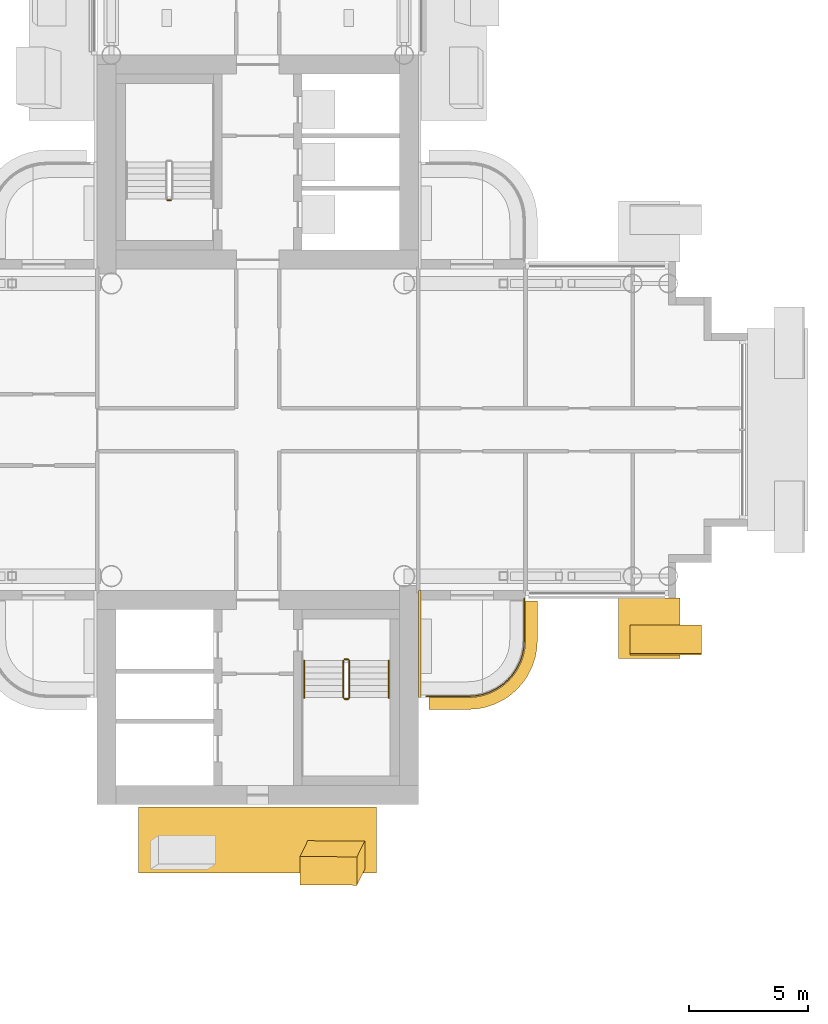
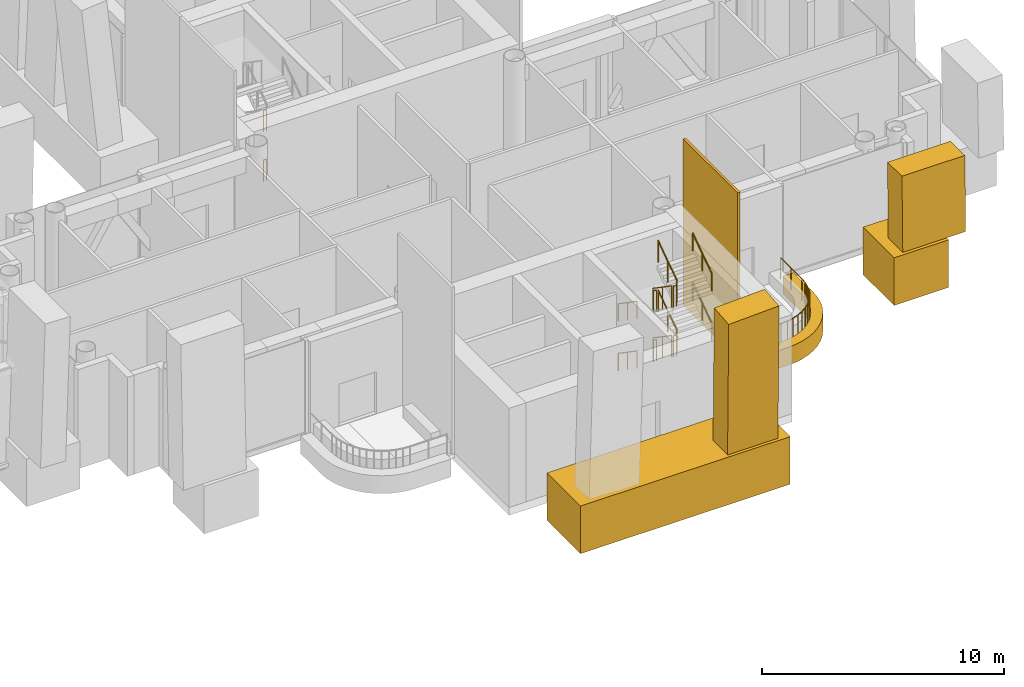
# One storey, part 30 of 34: 15 railings, 6 coverings.
"""IFC4 building model written with IfcOpenShell, lengths in metres."""

from ifc_helpers import new_model, si_unit, direction, frame, origin, origin_2d, place, context, subcontext, project, spatial, polyline, rectangle, circle, outline, extrude, material, layer, layer_set, material_profile, profile_set, type_object, element, save


model = new_model("IFC4")

# Units and contexts
model_context = context("Model", 3, precision=1e-05, world=origin(), true_north=direction((0.0, 1.0)))
body_context = subcontext(model_context, "Body", "Model", "MODEL_VIEW")
ifc_project = project(units=[si_unit("LENGTHUNIT", "METRE"), si_unit("AREAUNIT", "SQUARE_METRE"), si_unit("VOLUMEUNIT", "CUBIC_METRE"), si_unit("PLANEANGLEUNIT", "RADIAN"), si_unit("MASSUNIT", "GRAM", prefix="KILO")], contexts=[model_context])

# Site, building, storey
site_placement = place(None, origin())
site = spatial("IfcSite", under=ifc_project, at=site_placement, CompositionType="ELEMENT")
building_placement = place(site_placement, origin())
building = spatial("IfcBuilding", under=site, at=building_placement, Name="Ipe Terrace Towers", CompositionType="ELEMENT")
storey_placement = place(building_placement, frame((0.0, 0.0, 128.699951171875)))
storey = spatial("IfcBuildingStorey", under=building, at=storey_placement, Name="L35", CompositionType="ELEMENT", Elevation=128.699951171875)

# Railing
ifc_material_1 = material(Name="Stainless steel S316", Category="steel")
railing_type_1 = type_object("IfcRailingType", Name="GUARD 1100", PredefinedType="BALUSTRADE", material=ifc_material_1)
railing_1_placement = place(storey_placement, frame((43.070068359375, -11.199951171875, -0.02001953125)))
element("IfcRailing", 1, at=railing_1_placement, inside=storey, type_object=railing_type_1, Name="guard", PredefinedType="BALUSTRADE", context=body_context, shape_type="SweptSolid", body=[
    extrude(circle(Radius=0.02392578125, at=origin_2d()), frame((0.0, 0.0, 1.076171875), z_axis=(1.0, 0.0, 0.0), x_axis=(0.0, 1.0, 0.0)), (0.0, 0.0, 1.0), 1.77783203125),
    extrude(circle(Radius=0.02392578125, at=origin_2d()), frame((1.77783203125, 0.0, 1.076171875), z_axis=(0.99790894031, 0.064635492184, 0.0), x_axis=(-0.064635492184, 0.99790894031, 0.0)), (0.0, 0.0, 1.0), 0.309814453125),
    extrude(circle(Radius=0.02392578125, at=origin_2d()), frame((2.0869140625, 0.02001953125, 1.076171875), z_axis=(0.980824674538, 0.194892169718, 0.0), x_axis=(-0.194892169718, 0.980824674538, 0.0)), (0.0, 0.0, 1.0), 0.306884765625),
    extrude(circle(Radius=0.02392578125, at=origin_2d()), frame((2.387939453125, 0.079833984375, 1.076171875), z_axis=(0.946598348228, 0.322415209212, 0.0), x_axis=(-0.322415209212, 0.946598348228, 0.0)), (0.0, 0.0, 1.0), 0.307373046875),
    extrude(circle(Radius=0.02392578125, at=origin_2d()), frame((2.678955078125, 0.178955078125, 1.076171875), z_axis=(0.896952807524, 0.44212629539, 0.0), x_axis=(-0.44212629539, 0.896952807524, 0.0)), (0.0, 0.0, 1.0), 0.3076171875),
    extrude(circle(Radius=0.02392578125, at=origin_2d()), frame((2.954833984375, 0.31494140625, 1.076171875), z_axis=(0.831806228742, 0.555066120228, 0.0), x_axis=(-0.555066120228, 0.831806228742, 0.0)), (0.0, 0.0, 1.0), 0.307861328125),
    extrude(circle(Radius=0.02392578125, at=origin_2d()), frame((3.2109375, 0.48583984375, 1.076171875), z_axis=(0.752478137252, 0.658617227954, 0.0), x_axis=(-0.658617227954, 0.752478137252, 0.0)), (0.0, 0.0, 1.0), 0.306884765625),
    extrude(circle(Radius=0.02392578125, at=origin_2d()), frame((3.44189453125, 0.68798828125, 1.076171875), z_axis=(0.658617227954, 0.752478137252, 0.0), x_axis=(-0.752478137252, 0.658617227954, 0.0)), (0.0, 0.0, 1.0), 0.306884765625),
    extrude(circle(Radius=0.02392578125, at=origin_2d()), frame((3.64404296875, 0.9189453125, 1.076171875), z_axis=(0.555066120228, 0.831806228742, 0.0), x_axis=(-0.831806228742, 0.555066120228, 0.0)), (0.0, 0.0, 1.0), 0.307861328125),
    extrude(circle(Radius=0.02392578125, at=origin_2d()), frame((3.81494140625, 1.175048828125, 1.076171875), z_axis=(0.44212629539, 0.896952807524, 0.0), x_axis=(-0.896952807524, 0.44212629539, 0.0)), (0.0, 0.0, 1.0), 0.3076171875),
    extrude(circle(Radius=0.02392578125, at=origin_2d()), frame((3.950927734375, 1.450927734375, 1.076171875), z_axis=(0.322415209212, 0.946598348228, 0.0), x_axis=(-0.946598348228, 0.322415209212, 0.0)), (0.0, 0.0, 1.0), 0.307373046875),
    extrude(circle(Radius=0.02392578125, at=origin_2d()), frame((4.050048828125, 1.741943359375, 1.076171875), z_axis=(0.194892169718, 0.980824674538, 0.0), x_axis=(-0.980824674538, 0.194892169718, 0.0)), (0.0, 0.0, 1.0), 0.306884765625),
    extrude(circle(Radius=0.02392578125, at=origin_2d()), frame((4.10986328125, 2.04296875, 1.076171875), z_axis=(0.064635492184, 0.99790894031, 0.0), x_axis=(-0.99790894031, 0.064635492184, 0.0)), (0.0, 0.0, 1.0), 0.309814453125),
    extrude(circle(Radius=0.02392578125, at=origin_2d()), frame((4.1298828125, 2.35205078125, 1.076171875), z_axis=(0.0, 1.0, 0.0), x_axis=(-1.0, 0.0, 0.0)), (0.0, 0.0, 1.0), 1.77783203125),
    extrude(circle(Radius=0.02099609375, at=origin_2d()), origin(), (0.0, 0.0, 1.0), 1.052001953125),
    extrude(circle(Radius=0.02099609375, at=origin_2d()), frame((0.888916015625, 0.0, 0.0)), (0.0, 0.0, 1.0), 1.052001953125),
    extrude(circle(Radius=0.02099609375, at=origin_2d()), frame((1.77783203125, 0.0, 0.0)), (0.0, 0.0, 1.0), 1.052001953125),
    extrude(circle(Radius=0.02099609375, at=origin_2d()), frame((2.0869140625, 0.02001953125, 0.0)), (0.0, 0.0, 1.0), 1.052001953125),
    extrude(circle(Radius=0.02099609375, at=origin_2d()), frame((2.387939453125, 0.079833984375, 0.0)), (0.0, 0.0, 1.0), 1.052001953125),
    extrude(circle(Radius=0.02099609375, at=origin_2d()), frame((2.678955078125, 0.178955078125, 0.0)), (0.0, 0.0, 1.0), 1.052001953125),
    extrude(circle(Radius=0.02099609375, at=origin_2d()), frame((2.954833984375, 0.31494140625, 0.0)), (0.0, 0.0, 1.0), 1.052001953125),
    extrude(circle(Radius=0.02099609375, at=origin_2d()), frame((3.2109375, 0.48583984375, 0.0)), (0.0, 0.0, 1.0), 1.052001953125),
    extrude(circle(Radius=0.02099609375, at=origin_2d()), frame((3.44189453125, 0.68798828125, 0.0)), (0.0, 0.0, 1.0), 1.052001953125),
    extrude(circle(Radius=0.02099609375, at=origin_2d()), frame((3.64404296875, 0.9189453125, 0.0)), (0.0, 0.0, 1.0), 1.052001953125),
    extrude(circle(Radius=0.02099609375, at=origin_2d()), frame((3.81494140625, 1.175048828125, 0.0)), (0.0, 0.0, 1.0), 1.052001953125),
    extrude(circle(Radius=0.02099609375, at=origin_2d()), frame((3.950927734375, 1.450927734375, 0.0)), (0.0, 0.0, 1.0), 1.052001953125),
    extrude(circle(Radius=0.02099609375, at=origin_2d()), frame((4.050048828125, 1.741943359375, 0.0)), (0.0, 0.0, 1.0), 1.052001953125),
    extrude(circle(Radius=0.02099609375, at=origin_2d()), frame((4.10986328125, 2.04296875, 0.0)), (0.0, 0.0, 1.0), 1.052001953125),
    extrude(circle(Radius=0.02099609375, at=origin_2d()), frame((4.1298828125, 2.35205078125, 0.0)), (0.0, 0.0, 1.0), 1.052001953125),
    extrude(circle(Radius=0.02099609375, at=origin_2d()), frame((4.1298828125, 3.240966796875, 0.0)), (0.0, 0.0, 1.0), 1.052001953125),
    extrude(circle(Radius=0.02099609375, at=origin_2d()), frame((4.1298828125, 4.1298828125, 0.0)), (0.0, 0.0, 1.0), 1.052001953125),
])

# Coverings
ifc_material_2 = material(Name="Concrete C50/60 precast, buff finish", Category="concrete")
ifc_layer_1 = layer(ifc_material_2, 0.1201171875)
ifc_layer_set_1 = layer_set([ifc_layer_1], Name="STONE CORE CLADDING 120")
covering_type_1 = type_object("IfcCoveringType", Name="STONE CORE CLADDING 120", PredefinedType="CLADDING", material=ifc_layer_set_1)
covering_1_placement = place(storey_placement, frame((42.81005859375, -9.0, 0.0), z_axis=(0.0, 0.0, 1.0), x_axis=(0.0, 1.0, 0.0)))
element("IfcCovering", 2, at=covering_1_placement, inside=storey, type_object=covering_type_1, Name="stone core cladding", PredefinedType="CLADDING", context=body_context, shape_type="SweptSolid", body=[
    extrude(rectangle(XDim=4.5, YDim=0.1201171875, at=origin_2d()), origin(), (0.0, 0.0, 1.0), 8.39990234375),
])
ifc_material_3 = material(Name="Concrete C50/60 precast, buff finish", Category="concrete")
ifc_layer_2 = layer(ifc_material_3, 0.5)
ifc_layer_set_2 = layer_set([ifc_layer_2], Name="STONE EDGE BAND 500 x 900")
covering_type_2 = type_object("IfcCoveringType", Name="STONE EDGE BAND 500 x 900", PredefinedType="CLADDING", material=ifc_layer_set_2)
covering_2_placement = place(storey_placement, frame((0.0, 0.0, -0.719970703125)))
element("IfcCovering", 3, at=covering_2_placement, inside=storey, type_object=covering_type_2, Name="stone edge band", PredefinedType="CLADDING", context=body_context, shape_type="SweptSolid", body=[
    extrude(outline(polyline([(47.75, -8.85009765625), (47.75, -7.199951171875), (47.25, -7.199951171875), (47.25, -8.85009765625), (47.22900390625, -9.1630859375), (47.16796875, -9.470947265625), (47.06689453125, -9.76806640625), (46.927978515625, -10.050048828125), (46.75390625, -10.31103515625), (46.547119140625, -10.547119140625), (46.31103515625, -10.75390625), (46.050048828125, -10.927978515625), (45.76806640625, -11.06689453125), (45.470947265625, -11.16796875), (45.1630859375, -11.22900390625), (44.85009765625, -11.25), (43.199951171875, -11.25), (43.199951171875, -11.75), (44.85009765625, -11.75), (44.883056640625, -11.7490234375), (45.196044921875, -11.72802734375), (45.260986328125, -11.719970703125), (45.569091796875, -11.658935546875), (45.632080078125, -11.64208984375), (45.928955078125, -11.541015625), (45.989990234375, -11.51611328125), (46.27099609375, -11.376953125), (46.327880859375, -11.343994140625), (46.589111328125, -11.169921875), (46.64111328125, -11.1298828125), (46.876953125, -10.923095703125), (46.923095703125, -10.876953125), (47.1298828125, -10.64111328125), (47.169921875, -10.589111328125), (47.343994140625, -10.327880859375), (47.376953125, -10.27099609375), (47.51611328125, -9.989990234375), (47.541015625, -9.928955078125), (47.64208984375, -9.632080078125), (47.658935546875, -9.569091796875), (47.719970703125, -9.260986328125), (47.72802734375, -9.196044921875), (47.7490234375, -8.883056640625), (47.75, -8.85009765625)])), origin(), (0.0, 0.0, 1.0), 0.89990234375),
])
ifc_material_4 = material(Name="Concrete C50/60 precast, buff finish", Category="concrete")
ifc_material_profile_1 = material_profile(ifc_material_4, rectangle(XDim=2.39990234375, YDim=1.199951171875, at=origin_2d()), Name="STONE FIN 2400 x 1200")
ifc_profile_set_1 = profile_set([ifc_material_profile_1], Name="Concrete C50/60 precast, buff finish")
covering_type_3 = type_object("IfcCoveringType", Name="STONE FIN 2400 x 1200", PredefinedType="USERDEFINED", material=ifc_profile_set_1)
covering_3_placement = place(storey_placement, frame((39.300048828125, -17.8701171875, 1.199951171875), z_axis=(-0.045465385921, -0.092144980961, 0.994707093152), x_axis=(0.998965914675, -0.004193743812, 0.04527155652)))
element("IfcCovering", 4, at=covering_3_placement, inside=storey, type_object=covering_type_3, Name="stone fin", ObjectType="FIN", PredefinedType="USERDEFINED", context=body_context, shape_type="SweptSolid", body=[
    extrude(rectangle(XDim=2.39990234375, YDim=1.199951171875, at=origin_2d()), origin(), (0.0, 0.0, 1.0), 7.238525390625),
])
ifc_material_5 = material(Name="Concrete C50/60 precast, buff finish", Category="concrete")
ifc_material_profile_2 = material_profile(ifc_material_5, rectangle(XDim=3.0, YDim=1.199951171875, at=origin_2d()), Name="STONE FIN CORNER 3000 x 1200")
ifc_profile_set_2 = profile_set([ifc_material_profile_2], Name="Concrete C50/60 precast, buff finish")
covering_type_4 = type_object("IfcCoveringType", Name="STONE FIN CORNER 3000 x 1200", PredefinedType="USERDEFINED", material=ifc_profile_set_2)
covering_4_placement = place(storey_placement, frame((53.14990234375, -8.8701171875, 1.199951171875), z_axis=(0.0, 0.017151347612, 0.999852904819), x_axis=(1.0, 0.0, 0.0)))
element("IfcCovering", 5, at=covering_4_placement, inside=storey, type_object=covering_type_4, Name="stone fin", ObjectType="FIN", PredefinedType="USERDEFINED", context=body_context, shape_type="SweptSolid", body=[
    extrude(rectangle(XDim=3.0, YDim=1.199951171875, at=origin_2d()), origin(), (0.0, 0.0, 1.0), 3.800537109375),
])
ifc_material_6 = material(Name="Concrete C50/60 precast, buff finish", Category="concrete")
ifc_material_profile_3 = material_profile(ifc_material_6, rectangle(XDim=2.56005859375, YDim=2.39990234375, at=origin_2d()), Name="STONE FIN SPANDREL 2560 x 2400")
ifc_profile_set_3 = profile_set([ifc_material_profile_3], Name="Concrete C50/60 precast, buff finish")
covering_type_5 = type_object("IfcCoveringType", Name="STONE FIN SPANDREL 2560 x 2400", PredefinedType="CLADDING", material=ifc_profile_set_3)
covering_5_placement = place(storey_placement, frame((51.14990234375, -8.340087890625, 0.0), z_axis=(1.0, 0.0, 0.0), x_axis=(0.0, -1.0, 0.0)))
element("IfcCovering", 6, at=covering_5_placement, inside=storey, type_object=covering_type_5, Name="stone fin spandrel", PredefinedType="CLADDING", context=body_context, shape_type="SweptSolid", body=[
    extrude(rectangle(XDim=2.56005859375, YDim=2.39990234375, at=origin_2d()), origin(), (0.0, 0.0, 1.0), 2.60009765625),
])
ifc_material_7 = material(Name="Concrete C50/60 precast, buff finish", Category="concrete")
ifc_material_profile_4 = material_profile(ifc_material_7, rectangle(XDim=2.760009765625, YDim=2.39990234375, at=origin_2d()), Name="STONE FIN SPANDREL 2760 x 2400")
ifc_profile_set_4 = profile_set([ifc_material_profile_4], Name="Concrete C50/60 precast, buff finish")
covering_type_6 = type_object("IfcCoveringType", Name="STONE FIN SPANDREL 2760 x 2400", PredefinedType="CLADDING", material=ifc_profile_set_4)
covering_6_placement = place(storey_placement, frame((31.0, -17.239990234375, 0.0), z_axis=(1.0, 0.0, 0.0), x_axis=(0.0, -1.0, 0.0)))
element("IfcCovering", 7, at=covering_6_placement, inside=storey, type_object=covering_type_6, Name="stone fin spandrel", PredefinedType="CLADDING", context=body_context, shape_type="SweptSolid", body=[
    extrude(rectangle(XDim=2.760009765625, YDim=2.39990234375, at=origin_2d()), origin(), (0.0, 0.0, 1.0), 10.0),
])

# Railings
ifc_material_8 = material(Name="Steel S355", Category="steel")
railing_type_2 = type_object("IfcRailingType", Name="Stair guard 1100", PredefinedType="GUARDRAIL", material=ifc_material_8)
for number, where, name in (
    (8, (32.35009765625, 9.64990234375, 2.5), "L35 T2-ST1 stair guard 4"),
    (9, (32.35009765625, 9.64990234375, 0.0), "L35 T2-ST1 stair guard 8"),
):
    element("IfcRailing", number, at=place(storey_placement, frame(where)), inside=storey, type_object=railing_type_2, Name=name, PredefinedType="GUARDRAIL", context=body_context, shape_type="SweptSolid", body=[
        extrude(circle(Radius=0.02392578125, at=origin_2d()), frame((0.0, 0.0, 1.076171875), z_axis=(-1.0, 0.0, 0.0), x_axis=(0.0, -1.0, 0.0)), (0.0, 0.0, 1.0), 0.150146484375),
        extrude(circle(Radius=0.02099609375, at=origin_2d()), origin(), (0.0, 0.0, 1.0), 1.052001953125),
        extrude(circle(Radius=0.02099609375, at=origin_2d()), frame((-0.150146484375, 0.0, 0.0)), (0.0, 0.0, 1.0), 1.052001953125),
    ])
railing_2_placement = place(storey_placement, frame((39.60009765625, -9.699951171875, 0.1787109375)))
element("IfcRailing", 10, at=railing_2_placement, inside=storey, type_object=railing_type_2, Name="L35 T2-ST2 stair guard 1", PredefinedType="GUARDRAIL", context=body_context, shape_type="SweptSolid", body=[
    extrude(circle(Radius=0.02392578125, at=origin_2d()), frame((0.0, 0.0, 1.076171875), z_axis=(0.0, -0.824350458958, 0.566079783084), x_axis=(1.0, 0.0, 0.0)), (0.0, 0.0, 1.0), 1.892578125),
    extrude(circle(Radius=0.02099609375, at=origin_2d()), origin(), (0.0, 0.0, 1.0), 1.052001953125),
    extrude(circle(Radius=0.02099609375, at=origin_2d()), frame((0.0, -0.780029296875, 0.53564453125)), (0.0, 0.0, 1.0), 1.052001953125),
    extrude(circle(Radius=0.02099609375, at=origin_2d()), frame((0.0, -1.56005859375, 1.0712890625)), (0.0, 0.0, 1.0), 1.052001953125),
])
railing_3_placement = place(storey_placement, frame((39.64990234375, -11.31005859375, 1.25)))
element("IfcRailing", 11, at=railing_3_placement, inside=storey, type_object=railing_type_2, Name="L35 T2-ST2 stair guard 2", PredefinedType="GUARDRAIL", context=body_context, shape_type="SweptSolid", body=[
    extrude(circle(Radius=0.02392578125, at=origin_2d()), frame((0.0, 0.0, 1.076171875), z_axis=(1.0, 0.0, 0.0), x_axis=(0.0, 1.0, 0.0)), (0.0, 0.0, 1.0), 0.150146484375),
    extrude(circle(Radius=0.02099609375, at=origin_2d()), origin(), (0.0, 0.0, 1.0), 1.052001953125),
    extrude(circle(Radius=0.02099609375, at=origin_2d()), frame((0.150146484375, 0.0, 0.0)), (0.0, 0.0, 1.0), 1.052001953125),
])
railing_4_placement = place(storey_placement, frame((39.85009765625, -11.260009765625, 1.4287109375)))
element("IfcRailing", 12, at=railing_4_placement, inside=storey, type_object=railing_type_2, Name="L35 T2-ST2 stair guard 3", PredefinedType="GUARDRAIL", context=body_context, shape_type="SweptSolid", body=[
    extrude(circle(Radius=0.02392578125, at=origin_2d()), frame((0.0, 0.0, 1.076171875), z_axis=(0.0, 0.824350458958, 0.566079783084), x_axis=(-1.0, 0.0, 0.0)), (0.0, 0.0, 1.0), 1.892578125),
    extrude(circle(Radius=0.02099609375, at=origin_2d()), origin(), (0.0, 0.0, 1.0), 1.052001953125),
    extrude(circle(Radius=0.02099609375, at=origin_2d()), frame((0.0, 0.780029296875, 0.53564453125)), (0.0, 0.0, 1.0), 1.052001953125),
    extrude(circle(Radius=0.02099609375, at=origin_2d()), frame((0.0, 1.56005859375, 1.0712890625)), (0.0, 0.0, 1.0), 1.052001953125),
])
railing_5_placement = place(storey_placement, frame((39.64990234375, -9.64990234375, 2.5)))
element("IfcRailing", 13, at=railing_5_placement, inside=storey, type_object=railing_type_2, Name="L35 T2-ST2 stair guard 4", PredefinedType="GUARDRAIL", context=body_context, shape_type="SweptSolid", body=[
    extrude(circle(Radius=0.02392578125, at=origin_2d()), frame((0.0, 0.0, 1.076171875), z_axis=(1.0, 0.0, 0.0), x_axis=(0.0, 1.0, 0.0)), (0.0, 0.0, 1.0), 0.150146484375),
    extrude(circle(Radius=0.02099609375, at=origin_2d()), origin(), (0.0, 0.0, 1.0), 1.052001953125),
    extrude(circle(Radius=0.02099609375, at=origin_2d()), frame((0.150146484375, 0.0, 0.0)), (0.0, 0.0, 1.0), 1.052001953125),
])
railing_6_placement = place(storey_placement, frame((39.60009765625, -9.699951171875, 2.6787109375)))
element("IfcRailing", 14, at=railing_6_placement, inside=storey, type_object=railing_type_2, Name="L35 T2-ST2 stair guard 5", PredefinedType="GUARDRAIL", context=body_context, shape_type="SweptSolid", body=[
    extrude(circle(Radius=0.02392578125, at=origin_2d()), frame((0.0, 0.0, 1.076171875), z_axis=(0.0, -0.824350458958, 0.566079783084), x_axis=(1.0, 0.0, 0.0)), (0.0, 0.0, 1.0), 1.892578125),
    extrude(circle(Radius=0.02099609375, at=origin_2d()), origin(), (0.0, 0.0, 1.0), 1.052001953125),
    extrude(circle(Radius=0.02099609375, at=origin_2d()), frame((0.0, -0.780029296875, 0.53564453125)), (0.0, 0.0, 1.0), 1.052001953125),
    extrude(circle(Radius=0.02099609375, at=origin_2d()), frame((0.0, -1.56005859375, 1.0712890625)), (0.0, 0.0, 1.0), 1.052001953125),
])
railing_7_placement = place(storey_placement, frame((39.64990234375, -11.31005859375, 3.75)))
element("IfcRailing", 15, at=railing_7_placement, inside=storey, type_object=railing_type_2, Name="L35 T2-ST2 stair guard 6", PredefinedType="GUARDRAIL", context=body_context, shape_type="SweptSolid", body=[
    extrude(circle(Radius=0.02392578125, at=origin_2d()), frame((0.0, 0.0, 1.076171875), z_axis=(1.0, 0.0, 0.0), x_axis=(0.0, 1.0, 0.0)), (0.0, 0.0, 1.0), 0.150146484375),
    extrude(circle(Radius=0.02099609375, at=origin_2d()), origin(), (0.0, 0.0, 1.0), 1.052001953125),
    extrude(circle(Radius=0.02099609375, at=origin_2d()), frame((0.150146484375, 0.0, 0.0)), (0.0, 0.0, 1.0), 1.052001953125),
])
railing_8_placement = place(storey_placement, frame((39.85009765625, -11.260009765625, 3.9287109375)))
element("IfcRailing", 16, at=railing_8_placement, inside=storey, type_object=railing_type_2, Name="L35 T2-ST2 stair guard 7", PredefinedType="GUARDRAIL", context=body_context, shape_type="SweptSolid", body=[
    extrude(circle(Radius=0.02392578125, at=origin_2d()), frame((0.0, 0.0, 1.076171875), z_axis=(0.0, 0.824350458958, 0.566079783084), x_axis=(-1.0, 0.0, 0.0)), (0.0, 0.0, 1.0), 1.892578125),
    extrude(circle(Radius=0.02099609375, at=origin_2d()), origin(), (0.0, 0.0, 1.0), 1.052001953125),
    extrude(circle(Radius=0.02099609375, at=origin_2d()), frame((0.0, 0.780029296875, 0.53564453125)), (0.0, 0.0, 1.0), 1.052001953125),
    extrude(circle(Radius=0.02099609375, at=origin_2d()), frame((0.0, 1.56005859375, 1.0712890625)), (0.0, 0.0, 1.0), 1.052001953125),
])
railing_9_placement = place(storey_placement, frame((39.64990234375, -9.64990234375, 0.0)))
element("IfcRailing", 17, at=railing_9_placement, inside=storey, type_object=railing_type_2, Name="L35 T2-ST2 stair guard 8", PredefinedType="GUARDRAIL", context=body_context, shape_type="SweptSolid", body=[
    extrude(circle(Radius=0.02392578125, at=origin_2d()), frame((0.0, 0.0, 1.076171875), z_axis=(1.0, 0.0, 0.0), x_axis=(0.0, 1.0, 0.0)), (0.0, 0.0, 1.0), 0.150146484375),
    extrude(circle(Radius=0.02099609375, at=origin_2d()), origin(), (0.0, 0.0, 1.0), 1.052001953125),
    extrude(circle(Radius=0.02099609375, at=origin_2d()), frame((0.150146484375, 0.0, 0.0)), (0.0, 0.0, 1.0), 1.052001953125),
])
ifc_material_9 = material(Name="Stainless steel grade 304", Category="steel")
railing_type_3 = type_object("IfcRailingType", Name="Stair handrail 900", PredefinedType="HANDRAIL", material=ifc_material_9)
railing_10_placement = place(storey_placement, frame((37.949951171875, -9.699951171875, 0.1787109375)))
element("IfcRailing", 18, at=railing_10_placement, inside=storey, type_object=railing_type_3, Name="L35 T2-ST2 stair handrail 1", PredefinedType="HANDRAIL", context=body_context, shape_type="SweptSolid", body=[
    extrude(circle(Radius=0.02392578125, at=origin_2d()), frame((0.0, 0.0, 0.8759765625), z_axis=(0.0, -0.824350458958, 0.566079783084), x_axis=(1.0, 0.0, 0.0)), (0.0, 0.0, 1.0), 1.892578125),
    extrude(circle(Radius=0.02099609375, at=origin_2d()), origin(), (0.0, 0.0, 1.0), 0.851806640625),
    extrude(circle(Radius=0.02099609375, at=origin_2d()), frame((0.0, -0.780029296875, 0.53564453125)), (0.0, 0.0, 1.0), 0.851806640625),
    extrude(circle(Radius=0.02099609375, at=origin_2d()), frame((0.0, -1.56005859375, 1.0712890625)), (0.0, 0.0, 1.0), 0.851806640625),
])
railing_11_placement = place(storey_placement, frame((41.5, -11.260009765625, 1.4287109375)))
element("IfcRailing", 19, at=railing_11_placement, inside=storey, type_object=railing_type_3, Name="L35 T2-ST2 stair handrail 2", PredefinedType="HANDRAIL", context=body_context, shape_type="SweptSolid", body=[
    extrude(circle(Radius=0.02392578125, at=origin_2d()), frame((0.0, 0.0, 0.8759765625), z_axis=(0.0, 0.824350458958, 0.566079783084), x_axis=(-1.0, 0.0, 0.0)), (0.0, 0.0, 1.0), 1.892578125),
    extrude(circle(Radius=0.02099609375, at=origin_2d()), origin(), (0.0, 0.0, 1.0), 0.851806640625),
    extrude(circle(Radius=0.02099609375, at=origin_2d()), frame((0.0, 0.780029296875, 0.53564453125)), (0.0, 0.0, 1.0), 0.851806640625),
    extrude(circle(Radius=0.02099609375, at=origin_2d()), frame((0.0, 1.56005859375, 1.0712890625)), (0.0, 0.0, 1.0), 0.851806640625),
])
railing_12_placement = place(storey_placement, frame((37.949951171875, -9.699951171875, 2.6787109375)))
element("IfcRailing", 20, at=railing_12_placement, inside=storey, type_object=railing_type_3, Name="L35 T2-ST2 stair handrail 3", PredefinedType="HANDRAIL", context=body_context, shape_type="SweptSolid", body=[
    extrude(circle(Radius=0.02392578125, at=origin_2d()), frame((0.0, 0.0, 0.8759765625), z_axis=(0.0, -0.824350458958, 0.566079783084), x_axis=(1.0, 0.0, 0.0)), (0.0, 0.0, 1.0), 1.892578125),
    extrude(circle(Radius=0.02099609375, at=origin_2d()), origin(), (0.0, 0.0, 1.0), 0.851806640625),
    extrude(circle(Radius=0.02099609375, at=origin_2d()), frame((0.0, -0.780029296875, 0.53564453125)), (0.0, 0.0, 1.0), 0.851806640625),
    extrude(circle(Radius=0.02099609375, at=origin_2d()), frame((0.0, -1.56005859375, 1.0712890625)), (0.0, 0.0, 1.0), 0.851806640625),
])
railing_13_placement = place(storey_placement, frame((41.5, -11.260009765625, 3.9287109375)))
element("IfcRailing", 21, at=railing_13_placement, inside=storey, type_object=railing_type_3, Name="L35 T2-ST2 stair handrail 4", PredefinedType="HANDRAIL", context=body_context, shape_type="SweptSolid", body=[
    extrude(circle(Radius=0.02392578125, at=origin_2d()), frame((0.0, 0.0, 0.8759765625), z_axis=(0.0, 0.824350458958, 0.566079783084), x_axis=(-1.0, 0.0, 0.0)), (0.0, 0.0, 1.0), 1.892578125),
    extrude(circle(Radius=0.02099609375, at=origin_2d()), origin(), (0.0, 0.0, 1.0), 0.851806640625),
    extrude(circle(Radius=0.02099609375, at=origin_2d()), frame((0.0, 0.780029296875, 0.53564453125)), (0.0, 0.0, 1.0), 0.851806640625),
    extrude(circle(Radius=0.02099609375, at=origin_2d()), frame((0.0, 1.56005859375, 1.0712890625)), (0.0, 0.0, 1.0), 0.851806640625),
])

save(model, "model.ifc")
